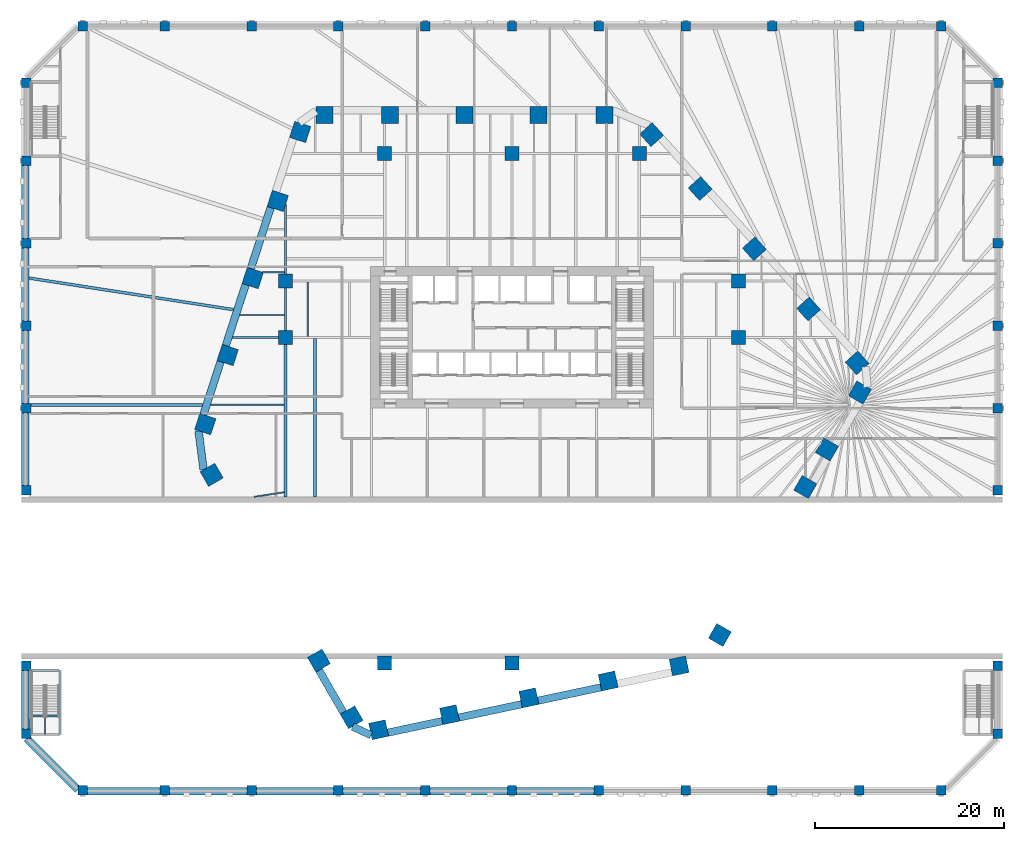
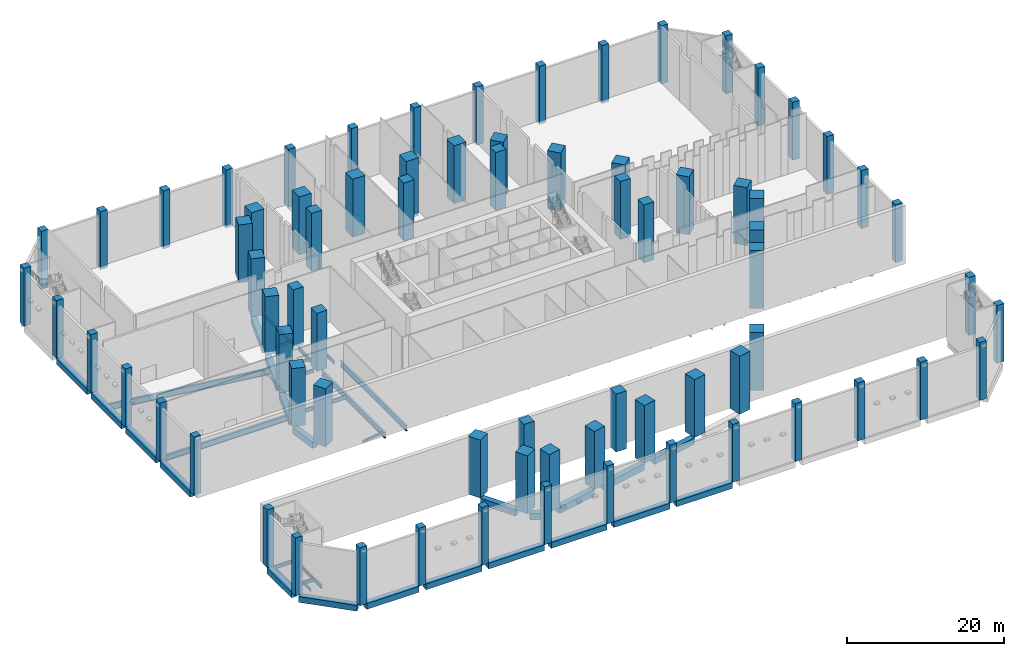
# One storey, part 1 of 23: 74 columns, 38 beams.
"""IFC4 building model written with IfcOpenShell, lengths in metres."""

from ifc_helpers import new_model, si_unit, direction, frame, origin, origin_2d, place, context, subcontext, project, spatial, rectangle, i_section, extrude, material, material_profile, profile_set, type_object, element, save


model = new_model("IFC4")

# Units and contexts
model_context = context("Model", 3, precision=1e-05, world=origin(), true_north=direction((0.0, 1.0)))
body_context = subcontext(model_context, "Body", "Model", "MODEL_VIEW")
ifc_project = project(units=[si_unit("LENGTHUNIT", "METRE"), si_unit("AREAUNIT", "SQUARE_METRE"), si_unit("VOLUMEUNIT", "CUBIC_METRE"), si_unit("PLANEANGLEUNIT", "RADIAN"), si_unit("MASSUNIT", "GRAM", prefix="KILO")], contexts=[model_context])

# Site, building, storey
site_placement = place(None, origin())
site = spatial("IfcSite", under=ifc_project, at=site_placement, CompositionType="ELEMENT")
building_placement = place(site_placement, origin())
building = spatial("IfcBuilding", under=site, at=building_placement, Name="Isthmus Gate Tower", CompositionType="ELEMENT")
storey_placement = place(building_placement, frame((0.0, 0.0, 9.0)))
storey = spatial("IfcBuildingStorey", under=building, at=storey_placement, Name="L01", CompositionType="ELEMENT", Elevation=9.0)

# Columns
ifc_material_1 = material(Name="Concrete f'c 70 MPa", Category="concrete")
ifc_material_profile_1 = material_profile(ifc_material_1, rectangle(XDim=1.5, YDim=1.5, at=origin_2d()), Name="RC 1500X1500")
ifc_profile_set_1 = profile_set([ifc_material_profile_1], Name="Concrete f'c 70 MPa")
column_type_1 = type_object("IfcColumnType", Name="RC INTERIOR COLUMN 1500 X 1500", PredefinedType="COLUMN", material=ifc_profile_set_1)
for number, where, z_axis, x_axis, name in (
    (1, (-24.0, 7.5, -0.39990234375), (0.0, 0.0, 1.0), (1.0, 0.0, 0.0), "str-icol-L01-ICA3"),
    (2, (-24.0, 13.5, -0.39990234375), (0.0, 0.0, 1.0), (1.0, 0.0, 0.0), "str-icol-L01-ICA4"),
    (3, (-13.5, -27.0, -0.39990234375), (0.0, 0.0, 1.0), (1.0, 0.0, 0.0), "str-icol-L01-ICB1"),
    (4, (-13.5, 27.0, -0.39990234375), (0.0, 0.0, 1.0), (1.0, 0.0, 0.0), "str-icol-L01-ICB5"),
    (5, (0.0, -27.0, -0.39990234375), (0.0, 0.0, 1.0), (1.0, 0.0, 0.0), "str-icol-L01-ICC1"),
    (6, (0.0, 27.0, -0.39990234375), (0.0, 0.0, 1.0), (1.0, 0.0, 0.0), "str-icol-L01-ICC5"),
    (7, (13.5, 27.0, -0.39990234375), (0.0, 0.0, 1.0), (1.0, 0.0, 0.0), "str-icol-L01-ICD5"),
    (8, (24.0, 7.5, -0.39990234375), (0.0, 0.0, 1.0), (1.0, 0.0, 0.0), "str-icol-L01-ICE3"),
    (9, (24.0, 13.5, -0.39990234375), (0.0, 0.0, 1.0), (1.0, 0.0, 0.0), "str-icol-L01-ICE4"),
):
    element("IfcColumn", number, at=place(storey_placement, frame(where, z_axis=z_axis, x_axis=x_axis)), inside=storey, type_object=column_type_1, Name=name, PredefinedType="COLUMN", context=body_context, shape_type="SweptSolid", body=[
        extrude(rectangle(XDim=1.5, YDim=1.5, at=origin_2d()), origin(), (0.0, 0.0, 1.0), 9.0),
    ])
ifc_material_2 = material(Name="Concrete f'c 70 MPa", Category="concrete")
ifc_material_profile_2 = material_profile(ifc_material_2, rectangle(XDim=1.0, YDim=1.0, at=origin_2d()), Name="RC 1000X1000")
ifc_profile_set_2 = profile_set([ifc_material_profile_2], Name="Concrete f'c 70 MPa")
column_type_2 = type_object("IfcColumnType", Name="RC PODIUM COLUMN 1000 X 1000", PredefinedType="COLUMN", material=ifc_profile_set_2)
for number, where, z_axis, x_axis, name in (
    (10, (-45.5, -40.5, -0.39990234375), (0.0, 0.0, 1.0), (1.0, 0.0, 0.0), "str-pcol-L01-PC01"),
    (11, (-36.800048828125, -40.5, -0.39990234375), (0.0, 0.0, 1.0), (1.0, 0.0, 0.0), "str-pcol-L01-PC02"),
    (12, (-27.60009765625, -40.5, -0.39990234375), (0.0, 0.0, 1.0), (1.0, 0.0, 0.0), "str-pcol-L01-PC03"),
    (13, (-18.39990234375, -40.5, -0.39990234375), (0.0, 0.0, 1.0), (1.0, 0.0, 0.0), "str-pcol-L01-PC04"),
    (14, (-9.199951171875, -40.5, -0.39990234375), (0.0, 0.0, 1.0), (1.0, 0.0, 0.0), "str-pcol-L01-PC05"),
    (15, (0.0, -40.5, -0.39990234375), (0.0, 0.0, 1.0), (1.0, 0.0, 0.0), "str-pcol-L01-PC06"),
    (16, (9.199951171875, -40.5, -0.39990234375), (0.0, 0.0, 1.0), (1.0, 0.0, 0.0), "str-pcol-L01-PC07"),
    (17, (18.39990234375, -40.5, -0.39990234375), (0.0, 0.0, 1.0), (1.0, 0.0, 0.0), "str-pcol-L01-PC08"),
    (18, (27.60009765625, -40.5, -0.39990234375), (0.0, 0.0, 1.0), (1.0, 0.0, 0.0), "str-pcol-L01-PC09"),
    (19, (36.800048828125, -40.5, -0.39990234375), (0.0, 0.0, 1.0), (1.0, 0.0, 0.0), "str-pcol-L01-PC10"),
    (20, (45.5, -40.5, -0.39990234375), (0.0, 0.0, 1.0), (1.0, 0.0, 0.0), "str-pcol-L01-PC11"),
    (21, (51.5, -34.5, -0.39990234375), (0.0, 0.0, 1.0), (0.0, 1.0, 0.0), "str-pcol-L01-PC12"),
    (22, (51.5, 0.0, -0.39990234375), (0.0, 0.0, 1.0), (0.0, 1.0, 0.0), "str-pcol-L01-PC13"),
    (23, (51.5, 8.75, -0.39990234375), (0.0, 0.0, 1.0), (0.0, 1.0, 0.0), "str-pcol-L01-PC14"),
    (24, (51.5, 17.5, -0.39990234375), (0.0, 0.0, 1.0), (0.0, 1.0, 0.0), "str-pcol-L01-PC15"),
    (25, (51.5, 26.25, -0.39990234375), (0.0, 0.0, 1.0), (0.0, 1.0, 0.0), "str-pcol-L01-PC16"),
    (26, (51.5, 34.5, -0.39990234375), (0.0, 0.0, 1.0), (0.0, 1.0, 0.0), "str-pcol-L01-PC17"),
    (27, (45.5, 40.5, -0.39990234375), (0.0, 0.0, 1.0), (-1.0, 0.0, 0.0), "str-pcol-L01-PC18"),
    (28, (36.800048828125, 40.5, -0.39990234375), (0.0, 0.0, 1.0), (-1.0, 0.0, 0.0), "str-pcol-L01-PC19"),
    (29, (27.60009765625, 40.5, -0.39990234375), (0.0, 0.0, 1.0), (-1.0, 0.0, 0.0), "str-pcol-L01-PC20"),
    (30, (18.39990234375, 40.5, -0.39990234375), (0.0, 0.0, 1.0), (-1.0, 0.0, 0.0), "str-pcol-L01-PC21"),
    (31, (9.199951171875, 40.5, -0.39990234375), (0.0, 0.0, 1.0), (-1.0, 0.0, 0.0), "str-pcol-L01-PC22"),
    (32, (0.0, 40.5, -0.39990234375), (0.0, 0.0, 1.0), (-1.0, 0.0, 0.0), "str-pcol-L01-PC23"),
    (33, (-9.199951171875, 40.5, -0.39990234375), (0.0, 0.0, 1.0), (-1.0, 0.0, 0.0), "str-pcol-L01-PC24"),
    (34, (-18.39990234375, 40.5, -0.39990234375), (0.0, 0.0, 1.0), (-1.0, 0.0, 0.0), "str-pcol-L01-PC25"),
    (35, (-27.60009765625, 40.5, -0.39990234375), (0.0, 0.0, 1.0), (-1.0, 0.0, 0.0), "str-pcol-L01-PC26"),
    (36, (-36.800048828125, 40.5, -0.39990234375), (0.0, 0.0, 1.0), (-1.0, 0.0, 0.0), "str-pcol-L01-PC27"),
    (37, (-45.5, 40.5, -0.39990234375), (0.0, 0.0, 1.0), (-1.0, 0.0, 0.0), "str-pcol-L01-PC28"),
    (38, (-51.5, 34.5, -0.39990234375), (0.0, 0.0, 1.0), (0.0, -1.0, 0.0), "str-pcol-L01-PC29"),
    (39, (-51.5, 26.25, -0.39990234375), (0.0, 0.0, 1.0), (0.0, -1.0, 0.0), "str-pcol-L01-PC30"),
    (40, (-51.5, 17.5, -0.39990234375), (0.0, 0.0, 1.0), (0.0, -1.0, 0.0), "str-pcol-L01-PC31"),
    (41, (-51.5, 8.75, -0.39990234375), (0.0, 0.0, 1.0), (0.0, -1.0, 0.0), "str-pcol-L01-PC32"),
    (42, (-51.5, 0.0, -0.39990234375), (0.0, 0.0, 1.0), (0.0, -1.0, 0.0), "str-pcol-L01-PC33"),
    (43, (-51.5, -34.5, -0.39990234375), (0.0, 0.0, 1.0), (0.0, -1.0, 0.0), "str-pcol-L01-PC34"),
    (44, (-51.5, -27.300048828125, -0.39990234375), (0.0, 0.0, 1.0), (0.0, 1.0, 0.0), "str-pcol-L01-PC35"),
    (45, (-51.5, -8.699951171875, -0.39990234375), (0.0, 0.0, 1.0), (0.0, 1.0, 0.0), "str-pcol-L01-PC36"),
    (46, (51.5, -27.300048828125, -0.39990234375), (0.0, 0.0, 1.0), (0.0, 1.0, 0.0), "str-pcol-L01-PC37"),
    (47, (51.5, -8.699951171875, -0.39990234375), (0.0, 0.0, 1.0), (0.0, 1.0, 0.0), "str-pcol-L01-PC38"),
):
    element("IfcColumn", number, at=place(storey_placement, frame(where, z_axis=z_axis, x_axis=x_axis)), inside=storey, type_object=column_type_2, Name=name, PredefinedType="COLUMN", context=body_context, shape_type="SweptSolid", body=[
        extrude(rectangle(XDim=1.0, YDim=1.0, at=origin_2d()), origin(), (0.0, 0.0, 1.0), 9.0),
    ])
ifc_material_3 = material(Name="Concrete f'c 70 MPa", Category="concrete")
ifc_material_profile_3 = material_profile(ifc_material_3, rectangle(XDim=1.800048828125, YDim=1.800048828125, at=origin_2d()), Name="RC 1800X1800")
ifc_profile_set_3 = profile_set([ifc_material_profile_3], Name="Concrete f'c 70 MPa")
column_type_3 = type_object("IfcColumnType", Name="RC TUBE COLUMN 1800 X 1800", PredefinedType="COLUMN", material=ifc_profile_set_3)
for number, where, z_axis, x_axis, name in (
    (48, (9.8017578125, 31.10009765625, -0.39990234375), (0.0, 0.0, 1.0), (-1.0, 0.0, 0.0), "str-tcol-L01-T1N0"),
    (49, (2.832275390625, 31.10009765625, -0.39990234375), (0.0, 0.0, 1.0), (-1.0, 0.0, 0.0), "str-tcol-L01-T1N1"),
    (50, (-5.037109375, 31.10009765625, -0.39990234375), (0.0, 0.0, 1.0), (-1.0, 0.0, 0.0), "str-tcol-L01-T1N2"),
    (51, (-12.90673828125, 31.10009765625, -0.39990234375), (0.0, 0.0, 1.0), (-1.0, 0.0, 0.0), "str-tcol-L01-T1N3"),
    (52, (-19.876220703125, 31.10009765625, -0.39990234375), (0.0, 0.0, 1.0), (-1.0, 0.0, 0.0), "str-tcol-L01-T1N4"),
    (53, (-22.451171875, 29.281005859375, -0.39990234375), (0.0, 0.0, 1.0), (-0.309016994375, -0.951056516295, 0.0), "str-tcol-L01-T1NW0"),
    (54, (-24.827392578125, 21.9677734375, -0.39990234375), (0.0, 0.0, 1.0), (-0.309016994375, -0.951056516295, 0.0), "str-tcol-L01-T1NW1"),
    (55, (-27.481689453125, 13.798828125, -0.39990234375), (0.0, 0.0, 1.0), (-0.309016994375, -0.951056516295, 0.0), "str-tcol-L01-T1NW2"),
    (56, (-30.135986328125, 5.6298828125, -0.39990234375), (0.0, 0.0, 1.0), (-0.309016994375, -0.951056516295, 0.0), "str-tcol-L01-T1NW3"),
    (57, (-32.511962890625, -1.68310546875, -0.39990234375), (0.0, 0.0, 1.0), (-0.309016994375, -0.951056516295, 0.0), "str-tcol-L01-T1NW4"),
    (58, (-31.834228515625, -7.061279296875, -0.39990234375), (0.0, 0.0, 1.0), (0.5, -0.866025403784, 0.0), "str-tcol-L01-T1SW0"),
    (59, (-20.467041015625, -26.75, -0.39990234375), (0.0, 0.0, 1.0), (0.5, -0.866025403784, 0.0), "str-tcol-L01-T1SW2"),
    (60, (-16.995361328125, -32.763427734375, -0.39990234375), (0.0, 0.0, 1.0), (0.5, -0.866025403784, 0.0), "str-tcol-L01-T1SW3"),
    (61, (-14.13232421875, -34.083740234375, -0.39990234375), (0.0, 0.0, 1.0), (0.978147600734, 0.207911690818, 0.0), "str-tcol-L01-T1S0"),
    (62, (-6.611083984375, -32.485107421875, -0.39990234375), (0.0, 0.0, 1.0), (0.978147600734, 0.207911690818, 0.0), "str-tcol-L01-T1S1"),
    (63, (1.79052734375, -30.69921875, -0.39990234375), (0.0, 0.0, 1.0), (0.978147600734, 0.207911690818, 0.0), "str-tcol-L01-T1S2"),
    (64, (10.192138671875, -28.91357421875, -0.39990234375), (0.0, 0.0, 1.0), (0.978147600734, 0.207911690818, 0.0), "str-tcol-L01-T1S3"),
    (65, (17.713623046875, -27.314697265625, -0.39990234375), (0.0, 0.0, 1.0), (0.978147600734, 0.207911690818, 0.0), "str-tcol-L01-T1S4"),
    (66, (22.032470703125, -24.03857421875, -0.39990234375), (0.0, 0.0, 1.0), (0.5, 0.866025403784, 0.0), "str-tcol-L01-T1SE0"),
    (67, (31.09033203125, -8.35009765625, -0.39990234375), (0.0, 0.0, 1.0), (0.5, 0.866025403784, 0.0), "str-tcol-L01-T1SE1"),
    (68, (33.38671875, -4.37255859375, -0.39990234375), (0.0, 0.0, 1.0), (0.5, 0.866025403784, 0.0), "str-tcol-L01-T1SE2"),
    (69, (36.87158203125, 1.663330078125, -0.39990234375), (0.0, 0.0, 1.0), (0.5, 0.866025403784, 0.0), "str-tcol-L01-T1SE3"),
    (70, (36.583740234375, 4.802978515625, -0.39990234375), (0.0, 0.0, 1.0), (-0.669130606359, 0.743144825477, 0.0), "str-tcol-L01-T1NE0"),
    (71, (31.4384765625, 10.517333984375, -0.39990234375), (0.0, 0.0, 1.0), (-0.669130606359, 0.743144825477, 0.0), "str-tcol-L01-T1NE1"),
    (72, (25.691162109375, 16.900390625, -0.39990234375), (0.0, 0.0, 1.0), (-0.669130606359, 0.743144825477, 0.0), "str-tcol-L01-T1NE2"),
    (73, (19.943603515625, 23.283447265625, -0.39990234375), (0.0, 0.0, 1.0), (-0.669130606359, 0.743144825477, 0.0), "str-tcol-L01-T1NE3"),
    (74, (14.798583984375, 28.997802734375, -0.39990234375), (0.0, 0.0, 1.0), (-0.669130606359, 0.743144825477, 0.0), "str-tcol-L01-T1NE4"),
):
    element("IfcColumn", number, at=place(storey_placement, frame(where, z_axis=z_axis, x_axis=x_axis)), inside=storey, type_object=column_type_3, Name=name, PredefinedType="COLUMN", context=body_context, shape_type="SweptSolid", body=[
        extrude(rectangle(XDim=1.800048828125, YDim=1.800048828125, at=origin_2d()), origin(), (0.0, 0.0, 1.0), 9.0),
    ])

# Beams
ifc_material_4 = material(Name="Concrete f'c 70 MPa", Category="concrete")
ifc_material_profile_4 = material_profile(ifc_material_4, rectangle(XDim=0.800048828125, YDim=0.89990234375, at=origin_2d()), Name="RC 800X900")
ifc_profile_set_4 = profile_set([ifc_material_profile_4], Name="Concrete f'c 70 MPa")
beam_type_1 = type_object("IfcBeamType", Name="RC EDGE BEAM 800 X 900", PredefinedType="BEAM", material=ifc_profile_set_4)
beam_1_placement = place(storey_placement, frame((-46.0, -40.434326171875, -0.85009765625), z_axis=(-0.707106781187, 0.707106781187, 0.0), x_axis=(-0.707106781187, -0.707106781187, 0.0)))
element("IfcBeam", 75, at=beam_1_placement, inside=storey, type_object=beam_type_1, Name="str-edgebeam-L01-00", PredefinedType="BEAM", context=body_context, shape_type="SweptSolid", body=[
    extrude(rectangle(XDim=0.800048828125, YDim=0.89990234375, at=origin_2d()), origin(), (0.0, 0.0, 1.0), 7.685302734375),
])
beam_2_placement = place(storey_placement, frame((-51.60009765625, -34.0, -0.85009765625), z_axis=(0.0, 1.0, 0.0), x_axis=(-1.0, 0.0, 0.0)))
element("IfcBeam", 76, at=beam_2_placement, inside=storey, type_object=beam_type_1, Name="str-edgebeam-L01-01", PredefinedType="BEAM", context=body_context, shape_type="SweptSolid", body=[
    extrude(rectangle(XDim=0.800048828125, YDim=0.89990234375, at=origin_2d()), origin(), (0.0, 0.0, 1.0), 6.199951171875),
])
beam_3_placement = place(storey_placement, frame((-51.60009765625, -8.199951171875, -0.85009765625), z_axis=(0.0, 1.0, 0.0), x_axis=(-1.0, 0.0, 0.0)))
element("IfcBeam", 77, at=beam_3_placement, inside=storey, type_object=beam_type_1, Name="str-edgebeam-L01-03", PredefinedType="BEAM", context=body_context, shape_type="SweptSolid", body=[
    extrude(rectangle(XDim=0.800048828125, YDim=0.89990234375, at=origin_2d()), origin(), (0.0, 0.0, 1.0), 7.699951171875),
])
for number, where, z_axis, x_axis, name in (
    (78, (-51.60009765625, 0.5, -0.85009765625), (0.0, 1.0, 0.0), (-1.0, 0.0, 0.0), "str-edgebeam-L01-04"),
    (79, (-51.60009765625, 9.25, -0.85009765625), (0.0, 1.0, 0.0), (-1.0, 0.0, 0.0), "str-edgebeam-L01-05"),
    (80, (-51.60009765625, 18.0, -0.85009765625), (0.0, 1.0, 0.0), (-1.0, 0.0, 0.0), "str-edgebeam-L01-06"),
):
    element("IfcBeam", number, at=place(storey_placement, frame(where, z_axis=z_axis, x_axis=x_axis)), inside=storey, type_object=beam_type_1, Name=name, PredefinedType="BEAM", context=body_context, shape_type="SweptSolid", body=[
        extrude(rectangle(XDim=0.800048828125, YDim=0.89990234375, at=origin_2d()), origin(), (0.0, 0.0, 1.0), 7.75),
    ])
for number, where, z_axis, x_axis, name in (
    (81, (8.699951171875, -40.60009765625, -0.85009765625), (-1.0, 0.0, 0.0), (0.0, -1.0, 0.0), "str-edgebeam-L01-32"),
    (82, (-0.5, -40.60009765625, -0.85009765625), (-1.0, 0.0, 0.0), (0.0, -1.0, 0.0), "str-edgebeam-L01-33"),
    (83, (-9.699951171875, -40.60009765625, -0.85009765625), (-1.0, 0.0, 0.0), (0.0, -1.0, 0.0), "str-edgebeam-L01-34"),
):
    element("IfcBeam", number, at=place(storey_placement, frame(where, z_axis=z_axis, x_axis=x_axis)), inside=storey, type_object=beam_type_1, Name=name, PredefinedType="BEAM", context=body_context, shape_type="SweptSolid", body=[
        extrude(rectangle(XDim=0.800048828125, YDim=0.89990234375, at=origin_2d()), origin(), (0.0, 0.0, 1.0), 8.199951171875),
    ])
beam_4_placement = place(storey_placement, frame((-18.89990234375, -40.60009765625, -0.85009765625), z_axis=(-1.0, 0.0, 0.0), x_axis=(0.0, -1.0, 0.0)))
element("IfcBeam", 84, at=beam_4_placement, inside=storey, type_object=beam_type_1, Name="str-edgebeam-L01-35", PredefinedType="BEAM", context=body_context, shape_type="SweptSolid", body=[
    extrude(rectangle(XDim=0.800048828125, YDim=0.89990234375, at=origin_2d()), origin(), (0.0, 0.0, 1.0), 8.2001953125),
])
beam_5_placement = place(storey_placement, frame((-28.10009765625, -40.60009765625, -0.85009765625), z_axis=(-1.0, 0.0, 0.0), x_axis=(0.0, -1.0, 0.0)))
element("IfcBeam", 85, at=beam_5_placement, inside=storey, type_object=beam_type_1, Name="str-edgebeam-L01-36", PredefinedType="BEAM", context=body_context, shape_type="SweptSolid", body=[
    extrude(rectangle(XDim=0.800048828125, YDim=0.89990234375, at=origin_2d()), origin(), (0.0, 0.0, 1.0), 8.199951171875),
])
beam_6_placement = place(storey_placement, frame((-37.300048828125, -40.60009765625, -0.85009765625), z_axis=(-1.0, 0.0, 0.0), x_axis=(0.0, -1.0, 0.0)))
element("IfcBeam", 86, at=beam_6_placement, inside=storey, type_object=beam_type_1, Name="str-edgebeam-L01-37", PredefinedType="BEAM", context=body_context, shape_type="SweptSolid", body=[
    extrude(rectangle(XDim=0.800048828125, YDim=0.89990234375, at=origin_2d()), origin(), (0.0, 0.0, 1.0), 7.699951171875),
])
ifc_material_5 = material(Name="Concrete f'c 70 MPa", Category="concrete")
ifc_material_profile_5 = material_profile(ifc_material_5, rectangle(XDim=0.800048828125, YDim=1.0, at=origin_2d()), Name="RC 800X1000")
ifc_profile_set_5 = profile_set([ifc_material_profile_5], Name="Concrete f'c 70 MPa")
beam_type_2 = type_object("IfcBeamType", Name="RC TUBE RING BEAM 800 X 1000", PredefinedType="BEAM", material=ifc_profile_set_5)
for number, where, z_axis, x_axis, name in (
    (87, (9.415771484375, -29.589599609375, -0.89990234375), (-0.978145779981, -0.207920256603, 0.0), (0.207920256603, -0.978145779981, 0.0), "str-ringbeam-L01-09"),
    (88, (1.01416015625, -31.37548828125, -0.89990234375), (-0.978145779981, -0.207920256603, 0.0), (0.207920256603, -0.978145779981, 0.0), "str-ringbeam-L01-10"),
):
    element("IfcBeam", number, at=place(storey_placement, frame(where, z_axis=z_axis, x_axis=x_axis)), inside=storey, type_object=beam_type_2, Name=name, PredefinedType="BEAM", context=body_context, shape_type="SweptSolid", body=[
        extrude(rectangle(XDim=0.800048828125, YDim=1.0, at=origin_2d()), origin(), (0.0, 0.0, 1.0), 6.789306640625),
    ])
beam_7_placement = place(storey_placement, frame((-7.387451171875, -33.161376953125, -0.89990234375), z_axis=(-0.978149894464, -0.207900899374, 0.0), x_axis=(0.207900899374, -0.978149894464, 0.0)))
element("IfcBeam", 89, at=beam_7_placement, inside=storey, type_object=beam_type_2, Name="str-ringbeam-L01-11", PredefinedType="BEAM", context=body_context, shape_type="SweptSolid", body=[
    extrude(rectangle(XDim=0.800048828125, YDim=1.0, at=origin_2d()), origin(), (0.0, 0.0, 1.0), 5.88916015625),
])
beam_8_placement = place(storey_placement, frame((-14.929443359375, -34.662109375, -0.89990234375), z_axis=(-0.907290744498, 0.420503870314, 0.0), x_axis=(-0.420503870314, -0.907290744498, 0.0)))
element("IfcBeam", 90, at=beam_8_placement, inside=storey, type_object=beam_type_2, Name="str-ringbeam-L01-12", PredefinedType="BEAM", context=body_context, shape_type="SweptSolid", body=[
    extrude(rectangle(XDim=0.800048828125, YDim=1.0, at=origin_2d()), origin(), (0.0, 0.0, 1.0), 2.173095703125),
])
beam_9_placement = place(storey_placement, frame((-17.878173828125, -32.23388671875, -0.89990234375), z_axis=(-0.500044296292, 0.865999827798, 0.0), x_axis=(-0.865999827798, -0.500044296292, 0.0)))
element("IfcBeam", 91, at=beam_9_placement, inside=storey, type_object=beam_type_2, Name="str-ringbeam-L01-13", PredefinedType="BEAM", context=body_context, shape_type="SweptSolid", body=[
    extrude(rectangle(XDim=0.800048828125, YDim=1.0, at=origin_2d()), origin(), (0.0, 0.0, 1.0), 5.1435546875),
])
beam_10_placement = place(storey_placement, frame((-32.6884765625, -6.515380859375, -0.89990234375), z_axis=(-0.129170777359, 0.991622362735, 0.0), x_axis=(-0.991622362735, -0.129170777359, 0.0)))
element("IfcBeam", 92, at=beam_10_placement, inside=storey, type_object=beam_type_2, Name="str-ringbeam-L01-14", PredefinedType="BEAM", context=body_context, shape_type="SweptSolid", body=[
    extrude(rectangle(XDim=0.800048828125, YDim=1.0, at=origin_2d()), origin(), (0.0, 0.0, 1.0), 4.15234375),
])
beam_11_placement = place(storey_placement, frame((-32.70947265625, -0.672607421875, -0.89990234375), z_axis=(0.309005457803, 0.951060264677, 0.0), x_axis=(-0.951060264677, 0.309005457803, 0.0)))
element("IfcBeam", 93, at=beam_11_placement, inside=storey, type_object=beam_type_2, Name="str-ringbeam-L01-15", PredefinedType="BEAM", context=body_context, shape_type="SweptSolid", body=[
    extrude(rectangle(XDim=0.800048828125, YDim=1.0, at=origin_2d()), origin(), (0.0, 0.0, 1.0), 5.889404296875),
])
for number, where, z_axis, x_axis, name in (
    (94, (-30.333251953125, 6.640380859375, -0.89990234375), (0.30900150794, 0.951061548004, 0.0), (-0.951061548004, 0.30900150794, 0.0), "str-ringbeam-L01-16"),
    (95, (-27.67919921875, 14.809326171875, -0.89990234375), (0.309034033576, 0.951050979754, 0.0), (-0.951050979754, 0.309034033576, 0.0), "str-ringbeam-L01-17"),
):
    element("IfcBeam", number, at=place(storey_placement, frame(where, z_axis=z_axis, x_axis=x_axis)), inside=storey, type_object=beam_type_2, Name=name, PredefinedType="BEAM", context=body_context, shape_type="SweptSolid", body=[
        extrude(rectangle(XDim=0.800048828125, YDim=1.0, at=origin_2d()), origin(), (0.0, 0.0, 1.0), 6.789306640625),
    ])
ifc_material_6 = material(Name="Structural steel ASTM A992 Gr 50", Category="steel")
ifc_material_profile_6 = material_profile(ifc_material_6, i_section(OverallWidth=0.1396484375, OverallDepth=0.4033203125, WebThickness=0.00634765625, FlangeThickness=0.010986328125, at=origin_2d()), Name="W16X31")
ifc_profile_set_6 = profile_set([ifc_material_profile_6], Name="Structural steel ASTM A992 Gr 50")
beam_type_3 = type_object("IfcBeamType", Name="STEEL FLOOR BEAM W16X31", PredefinedType="JOIST", material=ifc_profile_set_6)
beam_12_placement = place(storey_placement, frame((-49.5, -34.60009765625, -0.6015625), z_axis=(0.0, 1.0, 0.0), x_axis=(-1.0, 0.0, 0.0)))
element("IfcBeam", 96, at=beam_12_placement, inside=storey, type_object=beam_type_3, Name="str-beam-L01-04-00", PredefinedType="JOIST", context=body_context, shape_type="SweptSolid", body=[
    extrude(i_section(OverallWidth=0.1396484375, OverallDepth=0.4033203125, WebThickness=0.00634765625, FlangeThickness=0.010986328125, at=origin_2d()), origin(), (0.0, 0.0, 1.0), 1.865478515625),
])
beam_13_placement = place(storey_placement, frame((-26.503662109375, 14.427490234375, -0.6015625), z_axis=(1.0, 0.0, 0.0), x_axis=(0.0, 1.0, 0.0)))
element("IfcBeam", 97, at=beam_13_placement, inside=storey, type_object=beam_type_3, Name="str-beam-L01-06-01", PredefinedType="JOIST", context=body_context, shape_type="SweptSolid", body=[
    extrude(i_section(OverallWidth=0.1396484375, OverallDepth=0.4033203125, WebThickness=0.00634765625, FlangeThickness=0.010986328125, at=origin_2d()), origin(), (0.0, 0.0, 1.0), 2.389404296875),
])
beam_14_placement = place(storey_placement, frame((-24.14599609375, -8.903076171875, -0.6015625), z_axis=(-0.98828570762, -0.152615071711, 0.0), x_axis=(0.152615071711, -0.98828570762, 0.0)))
element("IfcBeam", 98, at=beam_14_placement, inside=storey, type_object=beam_type_3, Name="str-beam-L01-13-35", PredefinedType="JOIST", context=body_context, shape_type="SweptSolid", body=[
    extrude(i_section(OverallWidth=0.1396484375, OverallDepth=0.4033203125, WebThickness=0.00634765625, FlangeThickness=0.010986328125, at=origin_2d()), origin(), (0.0, 0.0, 1.0), 3.25537109375),
])
ifc_material_7 = material(Name="Structural steel ASTM A992 Gr 50", Category="steel")
ifc_material_profile_7 = material_profile(ifc_material_7, i_section(OverallWidth=0.15234375, OverallDepth=0.45068359375, WebThickness=0.0078125, FlangeThickness=0.010986328125, at=origin_2d()), Name="W18X35")
ifc_profile_set_7 = profile_set([ifc_material_profile_7], Name="Structural steel ASTM A992 Gr 50")
beam_type_4 = type_object("IfcBeamType", Name="STEEL FLOOR BEAM W18X35", PredefinedType="JOIST", material=ifc_profile_set_7)
beam_15_placement = place(storey_placement, frame((-28.860595703125, 9.87890625, -0.62548828125), z_axis=(1.0, 0.0, 0.0), x_axis=(0.0, 1.0, 0.0)))
element("IfcBeam", 99, at=beam_15_placement, inside=storey, type_object=beam_type_4, Name="str-beam-L01-06-00", PredefinedType="JOIST", context=body_context, shape_type="SweptSolid", body=[
    extrude(i_section(OverallWidth=0.15234375, OverallDepth=0.45068359375, WebThickness=0.0078125, FlangeThickness=0.010986328125, at=origin_2d()), origin(), (0.0, 0.0, 1.0), 4.755859375),
])
ifc_material_8 = material(Name="Structural steel ASTM A992 Gr 50", Category="steel")
ifc_material_profile_8 = material_profile(ifc_material_8, i_section(OverallWidth=0.1650390625, OverallDepth=0.52392578125, WebThickness=0.009521484375, FlangeThickness=0.010986328125, at=origin_2d()), Name="W21X44")
ifc_profile_set_8 = profile_set([ifc_material_profile_8], Name="Structural steel ASTM A992 Gr 50")
beam_type_5 = type_object("IfcBeamType", Name="STEEL FLOOR BEAM W21X44", PredefinedType="JOIST", material=ifc_profile_set_8)
beam_16_placement = place(storey_placement, frame((-21.67138671875, 7.6142578125, -0.661865234375), z_axis=(0.0, 1.0, 0.0), x_axis=(-1.0, 0.0, 0.0)))
element("IfcBeam", 100, at=beam_16_placement, inside=storey, type_object=beam_type_5, Name="str-beam-L01-07-00", PredefinedType="JOIST", context=body_context, shape_type="SweptSolid", body=[
    extrude(i_section(OverallWidth=0.1650390625, OverallDepth=0.52392578125, WebThickness=0.009521484375, FlangeThickness=0.010986328125, at=origin_2d()), origin(), (0.0, 0.0, 1.0), 5.771484375),
])
ifc_material_9 = material(Name="Structural steel ASTM A992 Gr 50", Category="steel")
ifc_material_profile_9 = material_profile(ifc_material_9, i_section(OverallWidth=0.177734375, OverallDepth=0.60009765625, WebThickness=0.009521484375, FlangeThickness=0.0126953125, at=origin_2d()), Name="W24X55")
ifc_profile_set_9 = profile_set([ifc_material_profile_9], Name="Structural steel ASTM A992 Gr 50")
beam_type_6 = type_object("IfcBeamType", Name="STEEL FLOOR BEAM W24X55", PredefinedType="JOIST", material=ifc_profile_set_9)
beam_17_placement = place(storey_placement, frame((-24.14599609375, 0.357421875, -0.699951171875), z_axis=(-1.0, 0.0, 0.0), x_axis=(0.0, -1.0, 0.0)))
element("IfcBeam", 101, at=beam_17_placement, inside=storey, type_object=beam_type_6, Name="str-beam-L01-13-32", PredefinedType="JOIST", context=body_context, shape_type="SweptSolid", body=[
    extrude(i_section(OverallWidth=0.177734375, OverallDepth=0.60009765625, WebThickness=0.009521484375, FlangeThickness=0.0126953125, at=origin_2d()), origin(), (0.0, 0.0, 1.0), 7.80810546875),
])
ifc_material_10 = material(Name="Structural steel ASTM A992 Gr 50", Category="steel")
ifc_material_profile_10 = material_profile(ifc_material_10, i_section(OverallWidth=0.2919921875, OverallDepth=0.8349609375, WebThickness=0.014404296875, FlangeThickness=0.01904296875, at=origin_2d()), Name="W33X118")
ifc_profile_set_10 = profile_set([ifc_material_profile_10], Name="Structural steel ASTM A992 Gr 50")
beam_type_7 = type_object("IfcBeamType", Name="STEEL FLOOR BEAM W33X118", PredefinedType="JOIST", material=ifc_profile_set_10)
beam_18_placement = place(storey_placement, frame((-20.872314453125, -9.39990234375, -0.8173828125), z_axis=(0.0, 1.0, 0.0), x_axis=(-1.0, 0.0, 0.0)))
element("IfcBeam", 102, at=beam_18_placement, inside=storey, type_object=beam_type_7, Name="str-beam-L01-12-00", PredefinedType="JOIST", context=body_context, shape_type="SweptSolid", body=[
    extrude(i_section(OverallWidth=0.2919921875, OverallDepth=0.8349609375, WebThickness=0.014404296875, FlangeThickness=0.01904296875, at=origin_2d()), origin(), (0.0, 0.0, 1.0), 16.78564453125),
])
ifc_material_11 = material(Name="Structural steel ASTM A992 Gr 50", Category="steel")
ifc_material_profile_11 = material_profile(ifc_material_11, i_section(OverallWidth=0.3046875, OverallDepth=0.901611328125, WebThickness=0.015869140625, FlangeThickness=0.0205078125, at=origin_2d()), Name="W36X135")
ifc_profile_set_11 = profile_set([ifc_material_profile_11], Name="Structural steel ASTM A992 Gr 50")
beam_type_8 = type_object("IfcBeamType", Name="STEEL FLOOR BEAM W36X135", PredefinedType="JOIST", material=ifc_profile_set_11)
beam_19_placement = place(storey_placement, frame((-32.79541015625, 0.357421875, -0.850830078125), z_axis=(-1.0, 0.0, 0.0), x_axis=(0.0, -1.0, 0.0)))
element("IfcBeam", 103, at=beam_19_placement, inside=storey, type_object=beam_type_8, Name="str-beam-L01-13-33", PredefinedType="JOIST", context=body_context, shape_type="SweptSolid", body=[
    extrude(i_section(OverallWidth=0.3046875, OverallDepth=0.901611328125, WebThickness=0.015869140625, FlangeThickness=0.0205078125, at=origin_2d()), origin(), (0.0, 0.0, 1.0), 18.20458984375),
])
ifc_material_12 = material(Name="Structural steel ASTM A992 Gr 50", Category="steel")
ifc_material_profile_12 = material_profile(ifc_material_12, i_section(OverallWidth=0.29833984375, OverallDepth=0.981201171875, WebThickness=0.015869140625, FlangeThickness=0.025390625, at=origin_2d()), Name="W40X167")
ifc_profile_set_12 = profile_set([ifc_material_profile_12], Name="Structural steel ASTM A992 Gr 50")
beam_type_9 = type_object("IfcBeamType", Name="STEEL FLOOR BEAM W40X167", PredefinedType="JOIST", material=ifc_profile_set_12)
beam_20_placement = place(storey_placement, frame((-29.516845703125, 10.447509765625, -0.890625), z_axis=(-0.9882807001, 0.15264749526, 0.0), x_axis=(-0.15264749526, -0.9882807001, 0.0)))
element("IfcBeam", 104, at=beam_20_placement, inside=storey, type_object=beam_type_9, Name="str-beam-L01-13-30", PredefinedType="JOIST", context=body_context, shape_type="SweptSolid", body=[
    extrude(i_section(OverallWidth=0.29833984375, OverallDepth=0.981201171875, WebThickness=0.015869140625, FlangeThickness=0.025390625, at=origin_2d()), origin(), (0.0, 0.0, 1.0), 21.940185546875),
])
ifc_material_13 = material(Name="Structural steel ASTM A992 Gr 50", Category="steel")
ifc_material_profile_13 = material_profile(ifc_material_13, i_section(OverallWidth=0.20947265625, OverallDepth=0.533447265625, WebThickness=0.009521484375, FlangeThickness=0.015869140625, at=origin_2d()), Name="W21X62")
ifc_profile_set_13 = profile_set([ifc_material_profile_13], Name="Structural steel ASTM A992 Gr 50")
beam_type_10 = type_object("IfcBeamType", Name="STEEL GIRDER W21X62", PredefinedType="BEAM", material=ifc_profile_set_13)
beam_21_placement = place(storey_placement, frame((-29.633544921875, 7.5, -0.666748046875), z_axis=(1.0, 0.0, 0.0), x_axis=(0.0, 1.0, 0.0)))
element("IfcBeam", 105, at=beam_21_placement, inside=storey, type_object=beam_type_10, Name="str-girder-L01-01", PredefinedType="BEAM", context=body_context, shape_type="SweptSolid", body=[
    extrude(i_section(OverallWidth=0.20947265625, OverallDepth=0.533447265625, WebThickness=0.009521484375, FlangeThickness=0.015869140625, at=origin_2d()), origin(), (0.0, 0.0, 1.0), 4.883544921875),
])
beam_22_placement = place(storey_placement, frame((-24.0, 8.25, -0.666748046875), z_axis=(0.0, 1.0, 0.0), x_axis=(-1.0, 0.0, 0.0)))
element("IfcBeam", 106, at=beam_22_placement, inside=storey, type_object=beam_type_10, Name="str-girder-L01-13", PredefinedType="BEAM", context=body_context, shape_type="SweptSolid", body=[
    extrude(i_section(OverallWidth=0.20947265625, OverallDepth=0.533447265625, WebThickness=0.009521484375, FlangeThickness=0.015869140625, at=origin_2d()), origin(), (0.0, 0.0, 1.0), 4.5),
])
ifc_material_14 = material(Name="Structural steel ASTM A992 Gr 50", Category="steel")
ifc_material_profile_14 = material_profile(ifc_material_14, i_section(OverallWidth=0.228515625, OverallDepth=0.603271484375, WebThickness=0.010986328125, FlangeThickness=0.014404296875, at=origin_2d()), Name="W24X68")
ifc_profile_set_14 = profile_set([ifc_material_profile_14], Name="Structural steel ASTM A992 Gr 50")
beam_type_11 = type_object("IfcBeamType", Name="STEEL GIRDER W24X68", PredefinedType="BEAM", material=ifc_profile_set_14)
beam_23_placement = place(storey_placement, frame((-24.0, 14.25, -0.70166015625), z_axis=(0.0, 1.0, 0.0), x_axis=(-1.0, 0.0, 0.0)))
element("IfcBeam", 107, at=beam_23_placement, inside=storey, type_object=beam_type_11, Name="str-girder-L01-14", PredefinedType="BEAM", context=body_context, shape_type="SweptSolid", body=[
    extrude(i_section(OverallWidth=0.228515625, OverallDepth=0.603271484375, WebThickness=0.010986328125, FlangeThickness=0.014404296875, at=origin_2d()), origin(), (0.0, 0.0, 1.0), 7.35205078125),
])
ifc_material_15 = material(Name="Structural steel ASTM A992 Gr 50", Category="steel")
ifc_material_profile_15 = material_profile(ifc_material_15, i_section(OverallWidth=0.2919921875, OverallDepth=0.8349609375, WebThickness=0.014404296875, FlangeThickness=0.01904296875, at=origin_2d()), Name="W33X118")
ifc_profile_set_15 = profile_set([ifc_material_profile_15], Name="Structural steel ASTM A992 Gr 50")
beam_type_12 = type_object("IfcBeamType", Name="STEEL GIRDER W33X118", PredefinedType="BEAM", material=ifc_profile_set_15)
beam_24_placement = place(storey_placement, frame((-24.0, -9.39990234375, -0.8173828125), z_axis=(0.0, 1.0, 0.0), x_axis=(-1.0, 0.0, 0.0)))
element("IfcBeam", 108, at=beam_24_placement, inside=storey, type_object=beam_type_12, Name="str-girder-L01-12", PredefinedType="BEAM", context=body_context, shape_type="SweptSolid", body=[
    extrude(i_section(OverallWidth=0.2919921875, OverallDepth=0.8349609375, WebThickness=0.014404296875, FlangeThickness=0.01904296875, at=origin_2d()), origin(), (0.0, 0.0, 1.0), 16.14990234375),
])
ifc_material_16 = material(Name="Structural steel ASTM A992 Gr 50", Category="steel")
ifc_material_profile_16 = material_profile(ifc_material_16, i_section(OverallWidth=0.20947265625, OverallDepth=0.533447265625, WebThickness=0.009521484375, FlangeThickness=0.015869140625, at=origin_2d()), Name="W21X62")
ifc_profile_set_16 = profile_set([ifc_material_profile_16], Name="Structural steel ASTM A992 Gr 50")
beam_type_13 = type_object("IfcBeamType", Name="STEEL TRIMMER W21X62", PredefinedType="BEAM", material=ifc_profile_set_16)
beam_25_placement = place(storey_placement, frame((-47.895263671875, -34.60009765625, -0.666748046875), z_axis=(0.0, 1.0, 0.0), x_axis=(-1.0, 0.0, 0.0)))
element("IfcBeam", 109, at=beam_25_placement, inside=storey, type_object=beam_type_13, Name="str-trimmer-L01-01", PredefinedType="BEAM", context=body_context, shape_type="SweptSolid", body=[
    extrude(i_section(OverallWidth=0.20947265625, OverallDepth=0.533447265625, WebThickness=0.009521484375, FlangeThickness=0.015869140625, at=origin_2d()), origin(), (0.0, 0.0, 1.0), 6.821044921875),
])
beam_26_placement = place(storey_placement, frame((-51.0546875, -27.800048828125, -0.666748046875), z_axis=(0.0, -1.0, 0.0), x_axis=(1.0, 0.0, 0.0)))
element("IfcBeam", 110, at=beam_26_placement, inside=storey, type_object=beam_type_13, Name="str-trimmer-L01-02", PredefinedType="BEAM", context=body_context, shape_type="SweptSolid", body=[
    extrude(i_section(OverallWidth=0.20947265625, OverallDepth=0.533447265625, WebThickness=0.009521484375, FlangeThickness=0.015869140625, at=origin_2d()), origin(), (0.0, 0.0, 1.0), 6.199951171875),
])
for number, where, z_axis, x_axis, name in (
    (111, (-48.0, -27.82421875, -0.666748046875), (-1.0, 0.0, 0.0), (0.0, -1.0, 0.0), "str-trimmer-L01-09"),
    (112, (-50.949951171875, -32.629638671875, -0.666748046875), (1.0, 0.0, 0.0), (0.0, 1.0, 0.0), "str-trimmer-L01-10"),
):
    element("IfcBeam", number, at=place(storey_placement, frame(where, z_axis=z_axis, x_axis=x_axis)), inside=storey, type_object=beam_type_13, Name=name, PredefinedType="BEAM", context=body_context, shape_type="SweptSolid", body=[
        extrude(i_section(OverallWidth=0.20947265625, OverallDepth=0.533447265625, WebThickness=0.009521484375, FlangeThickness=0.015869140625, at=origin_2d()), origin(), (0.0, 0.0, 1.0), 2.949951171875),
    ])

save(model, "model.ifc")
